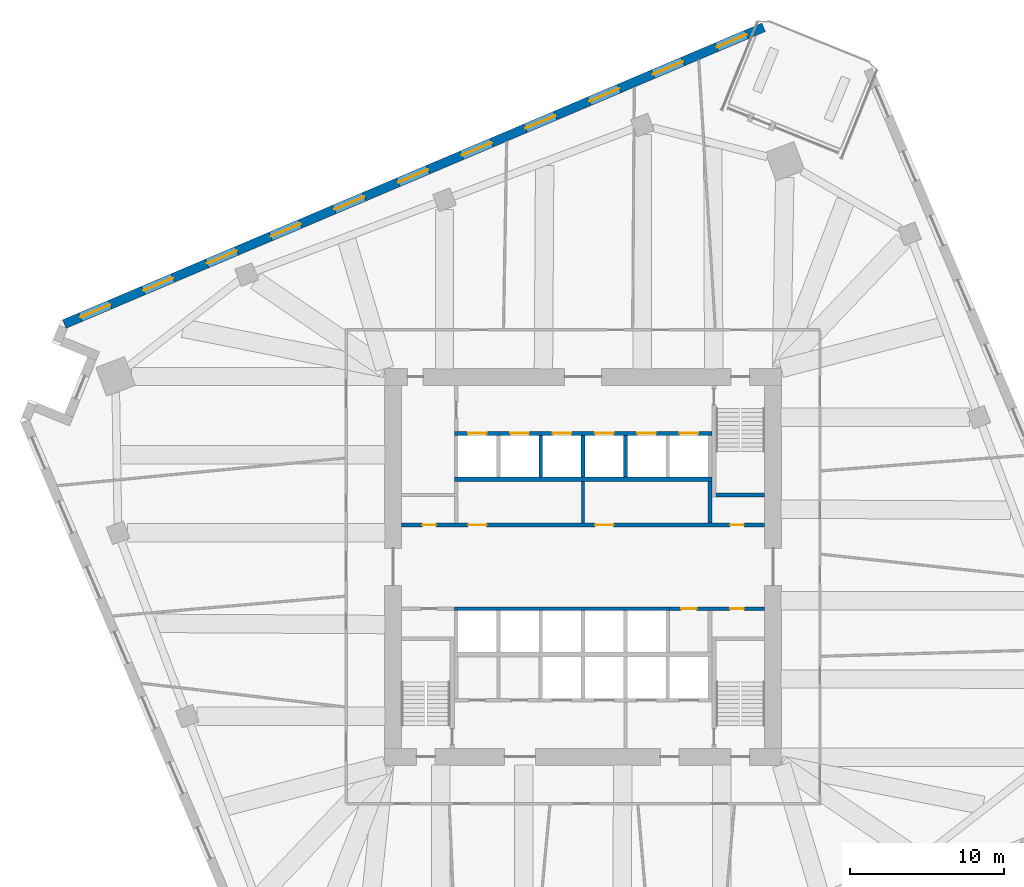
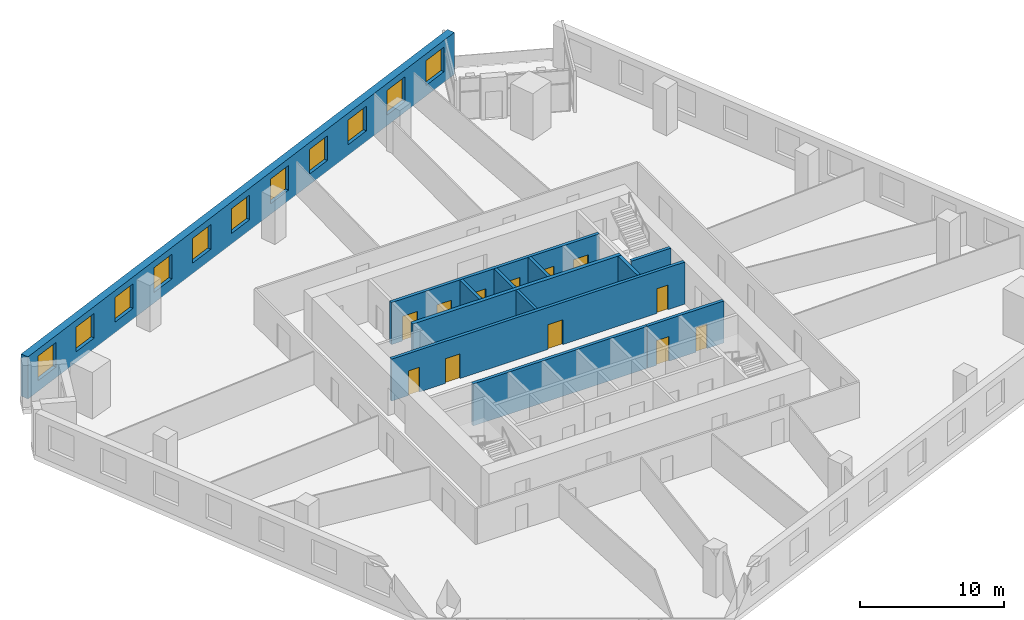
# One storey, part 8 of 12: 12 doors, 12 walls, 11 windows, 23 openings.
"""IFC4 building model written with IfcOpenShell, lengths in metres."""

from ifc_helpers import new_model, si_unit, direction, frame, frame_2d, origin, place, context, subcontext, project, spatial, rectangle, extrude, material, layer, layer_set, type_object, element, fill, save


model = new_model("IFC4")

# Units and contexts
model_context = context("Model", 3, precision=1e-05, world=origin(), true_north=direction((0.0, 1.0)))
body_context = subcontext(model_context, "Body", "Model", "MODEL_VIEW")
ifc_project = project(units=[si_unit("LENGTHUNIT", "METRE"), si_unit("AREAUNIT", "SQUARE_METRE"), si_unit("VOLUMEUNIT", "CUBIC_METRE"), si_unit("PLANEANGLEUNIT", "RADIAN"), si_unit("MASSUNIT", "GRAM", prefix="KILO")], contexts=[model_context])

# Site, building, storey
site_placement = place(None, origin())
site = spatial("IfcSite", under=ifc_project, at=site_placement, CompositionType="ELEMENT")
building_placement = place(site_placement, origin())
building = spatial("IfcBuilding", under=site, at=building_placement, Name="Dilmun Exchange Tower", CompositionType="ELEMENT")
storey_placement = place(building_placement, frame((0.0, 0.0, 118.10009765625)))
storey = spatial("IfcBuildingStorey", under=building, at=storey_placement, Name="L27", CompositionType="ELEMENT", Elevation=118.10009765625)

# Wall
ifc_material_1 = material(Name="Concrete C40/50", Category="concrete")
ifc_layer_1 = layer(ifc_material_1, 0.199951171875)
ifc_layer_set_1 = layer_set([ifc_layer_1], Name="Concrete C40/50")
wall_type_1 = type_object("IfcWallType", Name="Core partition wall 200", PredefinedType="PARTITIONING", material=ifc_layer_set_1)
wall_1_placement = place(storey_placement, frame((0.0, 2.85498046875, 0.0), z_axis=(0.0, 0.0, 1.0), x_axis=(0.0, 1.0, 0.0)))
element("IfcWall", 1, at=wall_1_placement, inside=storey, type_object=wall_type_1, Name="L27 core partition wall 10", PredefinedType="PARTITIONING", context=body_context, shape_type="SweptSolid", body=[
    extrude(rectangle(XDim=2.68994140625, YDim=0.199951171875, at=frame_2d((1.344970703125, 0.0))), origin(), (0.0, 0.0, 1.0), 3.579833984375),
])

# Wall, openings, doors
ifc_layer_2 = layer(ifc_material_1, 0.25)
ifc_layer_set_2 = layer_set([ifc_layer_2], Name="Concrete C40/50")
wall_type_2 = type_object("IfcWallType", Name="Core partition wall 250", PredefinedType="PARTITIONING", material=ifc_layer_set_2)
wall_2_placement = place(storey_placement, frame((5.6298828125, -2.72509765625, 0.0), z_axis=(0.0, 0.0, 1.0), x_axis=(1.0, 0.0, 0.0)))
wall_2 = element("IfcWall", 2, at=wall_2_placement, inside=storey, type_object=wall_type_2, Name="L27 core partition wall 07", PredefinedType="PARTITIONING", context=body_context, shape_type="SweptSolid", body=[
    extrude(rectangle(XDim=6.1650390625, YDim=0.25, at=frame_2d((3.08251953125, 0.0))), origin(), (0.0, 0.0, 1.0), 3.579833984375),
])
opening_1_placement = place(wall_2_placement, frame((0.7451171875, 0.0, 0.0)))
opening_1 = element("IfcOpeningElement", 3, at=opening_1_placement, cuts=wall_2, Name="Opening CD4", PredefinedType="OPENING", context=body_context, shape_type="SweptSolid", body=[
    extrude(rectangle(XDim=1.0, YDim=2.10009765625, at=frame_2d((0.5, 1.050048828125))), frame((0.0, 0.135009765625, 0.0), z_axis=(0.0, -1.0, 0.0), x_axis=(1.0, 0.0, 0.0)), (0.0, 0.0, 1.0), 0.27001953125),
])
opening_2_placement = place(wall_2_placement, frame((3.919921875, 0.0, 0.0)))
opening_2 = element("IfcOpeningElement", 4, at=opening_2_placement, cuts=wall_2, Name="Opening CD6", PredefinedType="OPENING", context=body_context, shape_type="SweptSolid", body=[
    extrude(rectangle(XDim=0.89990234375, YDim=2.10009765625, at=frame_2d((0.449951171875, 1.050048828125))), frame((0.0, 0.135009765625, 0.0), z_axis=(0.0, -1.0, 0.0), x_axis=(1.0, 0.0, 0.0)), (0.0, 0.0, 1.0), 0.27001953125),
])
ifc_material_2 = material(Name="Fire-rated steel door set", Category="steel")
door_type_1 = type_object("IfcDoorType", Name="Core room door 1000x2100", OperationType="SINGLE_SWING_LEFT", PredefinedType="DOOR", material=ifc_material_2)
door_1_placement = place(opening_1_placement, origin())
door_1 = element("IfcDoor", 5, at=door_1_placement, inside=storey, type_object=door_type_1, Name="L27 door Cleaners' store", OperationType="SINGLE_SWING_RIGHT", OverallHeight=2.10009765625, OverallWidth=1.0, PredefinedType="DOOR", context=body_context, shape_type="SweptSolid", body=[
    extrude(rectangle(XDim=1.0, YDim=2.10009765625, at=frame_2d((0.5, 1.050048828125))), frame((0.0, 0.02490234375, 0.0), z_axis=(0.0, -1.0, 0.0), x_axis=(1.0, 0.0, 0.0)), (0.0, 0.0, 1.0), 0.050048828125),
])
fill(opening_1, door_1)
door_type_2 = type_object("IfcDoorType", Name="Core room door 900x2100", OperationType="SINGLE_SWING_LEFT", PredefinedType="DOOR", material=ifc_material_2)
door_2_placement = place(opening_2_placement, origin())
door_2 = element("IfcDoor", 6, at=door_2_placement, inside=storey, type_object=door_type_2, Name="L27 door Comms riser", OperationType="SINGLE_SWING_RIGHT", OverallHeight=2.10009765625, OverallWidth=0.89990234375, PredefinedType="DOOR", context=body_context, shape_type="SweptSolid", body=[
    extrude(rectangle(XDim=0.89990234375, YDim=2.10009765625, at=frame_2d((0.449951171875, 1.050048828125))), frame((0.0, 0.02490234375, 0.0), z_axis=(0.0, -1.0, 0.0), x_axis=(1.0, 0.0, 0.0)), (0.0, 0.0, 1.0), 0.050048828125),
])
fill(opening_2, door_2)

wall_3_placement = place(storey_placement, frame((-11.794921875, 2.72509765625, 0.0), z_axis=(0.0, 0.0, 1.0), x_axis=(1.0, 0.0, 0.0)))
wall_3 = element("IfcWall", 7, at=wall_3_placement, inside=storey, type_object=wall_type_2, Name="L27 core partition wall 08", PredefinedType="PARTITIONING", context=body_context, shape_type="SweptSolid", body=[
    extrude(rectangle(XDim=23.58984375, YDim=0.25, at=frame_2d((11.794921875, 0.0))), origin(), (0.0, 0.0, 1.0), 3.579833984375),
])
opening_3_placement = place(wall_3_placement, frame((21.344970703125, 0.0, 0.0)))
opening_3 = element("IfcOpeningElement", 8, at=opening_3_placement, cuts=wall_3, Name="Opening CD6", PredefinedType="OPENING", context=body_context, shape_type="SweptSolid", body=[
    extrude(rectangle(XDim=0.89990234375, YDim=2.10009765625, at=frame_2d((0.449951171875, 1.050048828125))), frame((0.0, 0.135009765625, 0.0), z_axis=(0.0, -1.0, 0.0), x_axis=(1.0, 0.0, 0.0)), (0.0, 0.0, 1.0), 0.27001953125),
])
opening_4_placement = place(wall_3_placement, frame((1.344970703125, 0.0, 0.0)))
opening_4 = element("IfcOpeningElement", 9, at=opening_4_placement, cuts=wall_3, Name="Opening CD6", PredefinedType="OPENING", context=body_context, shape_type="SweptSolid", body=[
    extrude(rectangle(XDim=0.89990234375, YDim=2.10009765625, at=frame_2d((0.449951171875, 1.050048828125))), frame((0.0, 0.135009765625, 0.0), z_axis=(0.0, -1.0, 0.0), x_axis=(1.0, 0.0, 0.0)), (0.0, 0.0, 1.0), 0.27001953125),
])
opening_5_placement = place(wall_3_placement, frame((4.320068359375, 0.0, 0.0)))
opening_5 = element("IfcOpeningElement", 10, at=opening_5_placement, cuts=wall_3, Name="Opening CD3", PredefinedType="OPENING", context=body_context, shape_type="SweptSolid", body=[
    extrude(rectangle(XDim=1.199951171875, YDim=2.10009765625, at=frame_2d((0.60009765625, 1.050048828125))), frame((0.0, 0.135009765625, 0.0), z_axis=(0.0, -1.0, 0.0), x_axis=(1.0, 0.0, 0.0)), (0.0, 0.0, 1.0), 0.27001953125),
])
opening_6_placement = place(wall_3_placement, frame((12.570068359375, 0.0, 0.0)))
opening_6 = element("IfcOpeningElement", 11, at=opening_6_placement, cuts=wall_3, Name="Opening CD3", PredefinedType="OPENING", context=body_context, shape_type="SweptSolid", body=[
    extrude(rectangle(XDim=1.199951171875, YDim=2.10009765625, at=frame_2d((0.60009765625, 1.050048828125))), frame((0.0, 0.135009765625, 0.0), z_axis=(0.0, -1.0, 0.0), x_axis=(1.0, 0.0, 0.0)), (0.0, 0.0, 1.0), 0.27001953125),
])
door_3_placement = place(opening_3_placement, origin())
door_3 = element("IfcDoor", 12, at=door_3_placement, inside=storey, type_object=door_type_2, Name="L27 door Electrical riser", OperationType="SINGLE_SWING_RIGHT", OverallHeight=2.10009765625, OverallWidth=0.89990234375, PredefinedType="DOOR", context=body_context, shape_type="SweptSolid", body=[
    extrude(rectangle(XDim=0.89990234375, YDim=2.10009765625, at=frame_2d((0.449951171875, 1.050048828125))), frame((0.0, 0.02490234375, 0.0), z_axis=(0.0, -1.0, 0.0), x_axis=(1.0, 0.0, 0.0)), (0.0, 0.0, 1.0), 0.050048828125),
])
fill(opening_3, door_3)
door_4_placement = place(opening_4_placement, origin())
door_4 = element("IfcDoor", 13, at=door_4_placement, inside=storey, type_object=door_type_2, Name="L27 door Plumbing riser", OperationType="SINGLE_SWING_RIGHT", OverallHeight=2.10009765625, OverallWidth=0.89990234375, PredefinedType="DOOR", context=body_context, shape_type="SweptSolid", body=[
    extrude(rectangle(XDim=0.89990234375, YDim=2.10009765625, at=frame_2d((0.449951171875, 1.050048828125))), frame((0.0, 0.02490234375, 0.0), z_axis=(0.0, -1.0, 0.0), x_axis=(1.0, 0.0, 0.0)), (0.0, 0.0, 1.0), 0.050048828125),
])
fill(opening_4, door_4)
door_type_3 = type_object("IfcDoorType", Name="Stair exit door 1200x2100", OperationType="SINGLE_SWING_LEFT", PredefinedType="DOOR", material=ifc_material_2)
door_5_placement = place(opening_5_placement, origin())
door_5 = element("IfcDoor", 14, at=door_5_placement, inside=storey, type_object=door_type_3, Name="L27 door Quiet working room", OperationType="SINGLE_SWING_LEFT", OverallHeight=2.10009765625, OverallWidth=1.199951171875, PredefinedType="DOOR", context=body_context, shape_type="SweptSolid", body=[
    extrude(rectangle(XDim=1.199951171875, YDim=2.10009765625, at=frame_2d((0.60009765625, 1.050048828125))), frame((0.0, 0.02490234375, 0.0), z_axis=(0.0, -1.0, 0.0), x_axis=(1.0, 0.0, 0.0)), (0.0, 0.0, 1.0), 0.050048828125),
])
fill(opening_5, door_5)
door_6_placement = place(opening_6_placement, origin())
door_6 = element("IfcDoor", 15, at=door_6_placement, inside=storey, type_object=door_type_3, Name="L27 door Building management office", OperationType="SINGLE_SWING_LEFT", OverallHeight=2.10009765625, OverallWidth=1.199951171875, PredefinedType="DOOR", context=body_context, shape_type="SweptSolid", body=[
    extrude(rectangle(XDim=1.199951171875, YDim=2.10009765625, at=frame_2d((0.60009765625, 1.050048828125))), frame((0.0, 0.02490234375, 0.0), z_axis=(0.0, -1.0, 0.0), x_axis=(1.0, 0.0, 0.0)), (0.0, 0.0, 1.0), 0.050048828125),
])
fill(opening_6, door_6)

# Walls
wall_4_placement = place(storey_placement, frame((8.25, 2.85498046875, 0.0), z_axis=(0.0, 0.0, 1.0), x_axis=(0.0, 1.0, 0.0)))
element("IfcWall", 16, at=wall_4_placement, inside=storey, type_object=wall_type_2, Name="L27 core partition wall 11", PredefinedType="PARTITIONING", context=body_context, shape_type="SweptSolid", body=[
    extrude(rectangle(XDim=2.68994140625, YDim=0.25, at=frame_2d((1.344970703125, 0.0))), origin(), (0.0, 0.0, 1.0), 3.579833984375),
])
ifc_layer_3 = layer(ifc_material_1, 0.300048828125)
ifc_layer_set_3 = layer_set([ifc_layer_3], Name="Concrete C40/50")
wall_type_3 = type_object("IfcWallType", Name="Lift shaft shared wall 300", PredefinedType="SOLIDWALL", material=ifc_layer_set_3)
wall_5_placement = place(storey_placement, frame((-8.375, 5.699951171875, 0.0), z_axis=(0.0, 0.0, 1.0), x_axis=(1.0, 0.0, 0.0)))
element("IfcWall", 17, at=wall_5_placement, inside=storey, type_object=wall_type_3, Name="L27 lift shaft rear wall N", PredefinedType="SOLIDWALL", context=body_context, shape_type="SweptSolid", body=[
    extrude(rectangle(XDim=16.75, YDim=0.300048828125, at=frame_2d((8.375, 0.0))), origin(), (0.0, 0.0, 1.0), 3.579833984375),
])

# Wall, openings, doors
ifc_layer_4 = layer(ifc_material_1, 0.25)
ifc_layer_set_4 = layer_set([ifc_layer_4], Name="Concrete C40/50")
wall_type_4 = type_object("IfcWallType", Name="Lift shaft wall 250", PredefinedType="SOLIDWALL", material=ifc_layer_set_4)
wall_6_placement = place(storey_placement, frame((-8.375, 8.675048828125, 0.0), z_axis=(0.0, 0.0, 1.0), x_axis=(1.0, 0.0, 0.0)))
wall_6 = element("IfcWall", 18, at=wall_6_placement, inside=storey, type_object=wall_type_4, Name="L27 lift shaft front wall N2", PredefinedType="SOLIDWALL", context=body_context, shape_type="SweptSolid", body=[
    extrude(rectangle(XDim=16.75, YDim=0.25, at=frame_2d((8.375, 0.0))), origin(), (0.0, 0.0, 1.0), 3.579833984375),
])
opening_7_placement = place(wall_6_placement, frame((0.89990234375, 0.0, 0.0)))
opening_7 = element("IfcOpeningElement", 19, at=opening_7_placement, cuts=wall_6, Name="Opening LD", PredefinedType="OPENING", context=body_context, shape_type="SweptSolid", body=[
    extrude(rectangle(XDim=1.199951171875, YDim=2.10009765625, at=frame_2d((0.60009765625, 1.050048828125))), frame((0.0, 0.135009765625, 0.0), z_axis=(0.0, -1.0, 0.0), x_axis=(1.0, 0.0, 0.0)), (0.0, 0.0, 1.0), 0.27001953125),
])
opening_8_placement = place(wall_6_placement, frame((3.64990234375, 0.0, 0.0)))
opening_8 = element("IfcOpeningElement", 20, at=opening_8_placement, cuts=wall_6, Name="Opening LD", PredefinedType="OPENING", context=body_context, shape_type="SweptSolid", body=[
    extrude(rectangle(XDim=1.199951171875, YDim=2.10009765625, at=frame_2d((0.60009765625, 1.050048828125))), frame((0.0, 0.135009765625, 0.0), z_axis=(0.0, -1.0, 0.0), x_axis=(1.0, 0.0, 0.0)), (0.0, 0.0, 1.0), 0.27001953125),
])
opening_9_placement = place(wall_6_placement, frame((6.39990234375, 0.0, 0.0)))
opening_9 = element("IfcOpeningElement", 21, at=opening_9_placement, cuts=wall_6, Name="Opening LD", PredefinedType="OPENING", context=body_context, shape_type="SweptSolid", body=[
    extrude(rectangle(XDim=1.199951171875, YDim=2.10009765625, at=frame_2d((0.60009765625, 1.050048828125))), frame((0.0, 0.135009765625, 0.0), z_axis=(0.0, -1.0, 0.0), x_axis=(1.0, 0.0, 0.0)), (0.0, 0.0, 1.0), 0.27001953125),
])
opening_10_placement = place(wall_6_placement, frame((9.14990234375, 0.0, 0.0)))
opening_10 = element("IfcOpeningElement", 22, at=opening_10_placement, cuts=wall_6, Name="Opening LD", PredefinedType="OPENING", context=body_context, shape_type="SweptSolid", body=[
    extrude(rectangle(XDim=1.199951171875, YDim=2.10009765625, at=frame_2d((0.60009765625, 1.050048828125))), frame((0.0, 0.135009765625, 0.0), z_axis=(0.0, -1.0, 0.0), x_axis=(1.0, 0.0, 0.0)), (0.0, 0.0, 1.0), 0.27001953125),
])
opening_11_placement = place(wall_6_placement, frame((11.89990234375, 0.0, 0.0)))
opening_11 = element("IfcOpeningElement", 23, at=opening_11_placement, cuts=wall_6, Name="Opening LD", PredefinedType="OPENING", context=body_context, shape_type="SweptSolid", body=[
    extrude(rectangle(XDim=1.199951171875, YDim=2.10009765625, at=frame_2d((0.60009765625, 1.050048828125))), frame((0.0, 0.135009765625, 0.0), z_axis=(0.0, -1.0, 0.0), x_axis=(1.0, 0.0, 0.0)), (0.0, 0.0, 1.0), 0.27001953125),
])
opening_12_placement = place(wall_6_placement, frame((14.64990234375, 0.0, 0.0)))
opening_12 = element("IfcOpeningElement", 24, at=opening_12_placement, cuts=wall_6, Name="Opening LD", PredefinedType="OPENING", context=body_context, shape_type="SweptSolid", body=[
    extrude(rectangle(XDim=1.199951171875, YDim=2.10009765625, at=frame_2d((0.60009765625, 1.050048828125))), frame((0.0, 0.135009765625, 0.0), z_axis=(0.0, -1.0, 0.0), x_axis=(1.0, 0.0, 0.0)), (0.0, 0.0, 1.0), 0.27001953125),
])
door_type_4 = type_object("IfcDoorType", Name="Lift landing door 1200x2100", OperationType="DOUBLE_DOOR_SLIDING", PredefinedType="DOOR", material=ifc_material_2)
door_7_placement = place(opening_7_placement, origin())
door_7 = element("IfcDoor", 25, at=door_7_placement, inside=storey, type_object=door_type_4, Name="L27 landing door LR1", OperationType="DOUBLE_DOOR_SLIDING", OverallHeight=2.10009765625, OverallWidth=1.199951171875, PredefinedType="DOOR", context=body_context, shape_type="SweptSolid", body=[
    extrude(rectangle(XDim=1.199951171875, YDim=2.10009765625, at=frame_2d((0.60009765625, 1.050048828125))), frame((0.0, 0.02490234375, 0.0), z_axis=(0.0, -1.0, 0.0), x_axis=(1.0, 0.0, 0.0)), (0.0, 0.0, 1.0), 0.050048828125),
])
fill(opening_7, door_7)
door_8_placement = place(opening_8_placement, origin())
door_8 = element("IfcDoor", 26, at=door_8_placement, inside=storey, type_object=door_type_4, Name="L27 landing door LR2", OperationType="DOUBLE_DOOR_SLIDING", OverallHeight=2.10009765625, OverallWidth=1.199951171875, PredefinedType="DOOR", context=body_context, shape_type="SweptSolid", body=[
    extrude(rectangle(XDim=1.199951171875, YDim=2.10009765625, at=frame_2d((0.60009765625, 1.050048828125))), frame((0.0, 0.02490234375, 0.0), z_axis=(0.0, -1.0, 0.0), x_axis=(1.0, 0.0, 0.0)), (0.0, 0.0, 1.0), 0.050048828125),
])
fill(opening_8, door_8)
door_9_placement = place(opening_9_placement, origin())
door_9 = element("IfcDoor", 27, at=door_9_placement, inside=storey, type_object=door_type_4, Name="L27 landing door LR3", OperationType="DOUBLE_DOOR_SLIDING", OverallHeight=2.10009765625, OverallWidth=1.199951171875, PredefinedType="DOOR", context=body_context, shape_type="SweptSolid", body=[
    extrude(rectangle(XDim=1.199951171875, YDim=2.10009765625, at=frame_2d((0.60009765625, 1.050048828125))), frame((0.0, 0.02490234375, 0.0), z_axis=(0.0, -1.0, 0.0), x_axis=(1.0, 0.0, 0.0)), (0.0, 0.0, 1.0), 0.050048828125),
])
fill(opening_9, door_9)
door_10_placement = place(opening_10_placement, origin())
door_10 = element("IfcDoor", 28, at=door_10_placement, inside=storey, type_object=door_type_4, Name="L27 landing door LR4", OperationType="DOUBLE_DOOR_SLIDING", OverallHeight=2.10009765625, OverallWidth=1.199951171875, PredefinedType="DOOR", context=body_context, shape_type="SweptSolid", body=[
    extrude(rectangle(XDim=1.199951171875, YDim=2.10009765625, at=frame_2d((0.60009765625, 1.050048828125))), frame((0.0, 0.02490234375, 0.0), z_axis=(0.0, -1.0, 0.0), x_axis=(1.0, 0.0, 0.0)), (0.0, 0.0, 1.0), 0.050048828125),
])
fill(opening_10, door_10)
door_11_placement = place(opening_11_placement, origin())
door_11 = element("IfcDoor", 29, at=door_11_placement, inside=storey, type_object=door_type_4, Name="L27 landing door LR5", OperationType="DOUBLE_DOOR_SLIDING", OverallHeight=2.10009765625, OverallWidth=1.199951171875, PredefinedType="DOOR", context=body_context, shape_type="SweptSolid", body=[
    extrude(rectangle(XDim=1.199951171875, YDim=2.10009765625, at=frame_2d((0.60009765625, 1.050048828125))), frame((0.0, 0.02490234375, 0.0), z_axis=(0.0, -1.0, 0.0), x_axis=(1.0, 0.0, 0.0)), (0.0, 0.0, 1.0), 0.050048828125),
])
fill(opening_11, door_11)
door_12_placement = place(opening_12_placement, origin())
door_12 = element("IfcDoor", 30, at=door_12_placement, inside=storey, type_object=door_type_4, Name="L27 landing door LR6", OperationType="DOUBLE_DOOR_SLIDING", OverallHeight=2.10009765625, OverallWidth=1.199951171875, PredefinedType="DOOR", context=body_context, shape_type="SweptSolid", body=[
    extrude(rectangle(XDim=1.199951171875, YDim=2.10009765625, at=frame_2d((0.60009765625, 1.050048828125))), frame((0.0, 0.02490234375, 0.0), z_axis=(0.0, -1.0, 0.0), x_axis=(1.0, 0.0, 0.0)), (0.0, 0.0, 1.0), 0.050048828125),
])
fill(opening_12, door_12)

# Walls
for number, where, z_axis, x_axis, name in (
    (31, (-2.75, 5.85009765625, 0.0), (0.0, 0.0, 1.0), (0.0, 1.0, 0.0), "L27 lift shaft divider N22"),
    (32, (0.0, 5.85009765625, 0.0), (0.0, 0.0, 1.0), (0.0, 1.0, 0.0), "L27 lift shaft divider N23"),
    (33, (2.75, 5.85009765625, 0.0), (0.0, 0.0, 1.0), (0.0, 1.0, 0.0), "L27 lift shaft divider N24"),
):
    element("IfcWall", number, at=place(storey_placement, frame(where, z_axis=z_axis, x_axis=x_axis)), inside=storey, type_object=wall_type_4, Name=name, PredefinedType="SOLIDWALL", context=body_context, shape_type="SweptSolid", body=[
        extrude(rectangle(XDim=2.699951171875, YDim=0.25, at=frame_2d((1.35009765625, 0.0))), origin(), (0.0, 0.0, 1.0), 3.579833984375),
    ])
wall_7_placement = place(storey_placement, frame((-8.375, -2.72509765625, 0.0), z_axis=(0.0, 0.0, 1.0), x_axis=(1.0, 0.0, 0.0)))
element("IfcWall", 34, at=wall_7_placement, inside=storey, type_object=wall_type_4, Name="L27 lift shaft front wall S1", PredefinedType="SOLIDWALL", context=body_context, shape_type="SweptSolid", body=[
    extrude(rectangle(XDim=14.0, YDim=0.25, at=frame_2d((7.0, 0.0))), origin(), (0.0, 0.0, 1.0), 3.579833984375),
])

# Wall, openings, windows
ifc_material_3 = material(Name="Precast concrete C50/60", Category="concrete")
ifc_layer_5 = layer(ifc_material_3, 0.60009765625)
ifc_layer_set_5 = layer_set([ifc_layer_5], Name="Precast concrete C50/60")
wall_type_5 = type_object("IfcWallType", Name="Precast stone-clad wall 600", PredefinedType="STANDARD", material=ifc_layer_set_5)
wall_8_placement = place(storey_placement, frame((11.72900390625, 35.07080078125, 0.0), z_axis=(0.0, 0.0, 1.0), x_axis=(-0.920505483293, -0.390729644674, 0.0)))
wall_8 = element("IfcWall", 35, at=wall_8_placement, inside=storey, type_object=wall_type_5, Name="Facade wall L27-03", PredefinedType="STANDARD", context=body_context, shape_type="SweptSolid", body=[
    extrude(rectangle(XDim=49.37548828125, YDim=0.60009765625, at=frame_2d((24.687744140625, 0.0))), origin(), (0.0, 0.0, 1.0), 3.579833984375),
])
opening_13_placement = place(wall_8_placement, frame((1.199951171875, 0.0, 0.89990234375)))
opening_13 = element("IfcOpeningElement", 36, at=opening_13_placement, cuts=wall_8, Name="Opening W210-210", PredefinedType="OPENING", context=body_context, shape_type="SweptSolid", body=[
    extrude(rectangle(XDim=2.10009765625, YDim=2.10009765625, at=frame_2d((1.050048828125, 1.050048828125))), frame((0.0, 0.31005859375, 0.0), z_axis=(0.0, -1.0, 0.0), x_axis=(1.0, 0.0, 0.0)), (0.0, 0.0, 1.0), 0.6201171875),
])
opening_14_placement = place(wall_8_placement, frame((5.699951171875, 0.0, 0.89990234375)))
opening_14 = element("IfcOpeningElement", 37, at=opening_14_placement, cuts=wall_8, Name="Opening W210-210", PredefinedType="OPENING", context=body_context, shape_type="SweptSolid", body=[
    extrude(rectangle(XDim=2.10009765625, YDim=2.10009765625, at=frame_2d((1.050048828125, 1.050048828125))), frame((0.0, 0.31005859375, 0.0), z_axis=(0.0, -1.0, 0.0), x_axis=(1.0, 0.0, 0.0)), (0.0, 0.0, 1.0), 0.6201171875),
])
opening_15_placement = place(wall_8_placement, frame((10.199951171875, 0.0, 0.89990234375)))
opening_15 = element("IfcOpeningElement", 38, at=opening_15_placement, cuts=wall_8, Name="Opening W210-210", PredefinedType="OPENING", context=body_context, shape_type="SweptSolid", body=[
    extrude(rectangle(XDim=2.10009765625, YDim=2.10009765625, at=frame_2d((1.050048828125, 1.050048828125))), frame((0.0, 0.31005859375, 0.0), z_axis=(0.0, -1.0, 0.0), x_axis=(1.0, 0.0, 0.0)), (0.0, 0.0, 1.0), 0.6201171875),
])
opening_16_placement = place(wall_8_placement, frame((14.699951171875, 0.0, 0.89990234375)))
opening_16 = element("IfcOpeningElement", 39, at=opening_16_placement, cuts=wall_8, Name="Opening W210-210", PredefinedType="OPENING", context=body_context, shape_type="SweptSolid", body=[
    extrude(rectangle(XDim=2.10009765625, YDim=2.10009765625, at=frame_2d((1.050048828125, 1.050048828125))), frame((0.0, 0.31005859375, 0.0), z_axis=(0.0, -1.0, 0.0), x_axis=(1.0, 0.0, 0.0)), (0.0, 0.0, 1.0), 0.6201171875),
])
opening_17_placement = place(wall_8_placement, frame((19.199951171875, 0.0, 0.89990234375)))
opening_17 = element("IfcOpeningElement", 40, at=opening_17_placement, cuts=wall_8, Name="Opening W210-210", PredefinedType="OPENING", context=body_context, shape_type="SweptSolid", body=[
    extrude(rectangle(XDim=2.10009765625, YDim=2.10009765625, at=frame_2d((1.050048828125, 1.050048828125))), frame((0.0, 0.31005859375, 0.0), z_axis=(0.0, -1.0, 0.0), x_axis=(1.0, 0.0, 0.0)), (0.0, 0.0, 1.0), 0.6201171875),
])
opening_18_placement = place(wall_8_placement, frame((23.699951171875, 0.0, 0.89990234375)))
opening_18 = element("IfcOpeningElement", 41, at=opening_18_placement, cuts=wall_8, Name="Opening W210-210", PredefinedType="OPENING", context=body_context, shape_type="SweptSolid", body=[
    extrude(rectangle(XDim=2.10009765625, YDim=2.10009765625, at=frame_2d((1.050048828125, 1.050048828125))), frame((0.0, 0.31005859375, 0.0), z_axis=(0.0, -1.0, 0.0), x_axis=(1.0, 0.0, 0.0)), (0.0, 0.0, 1.0), 0.6201171875),
])
opening_19_placement = place(wall_8_placement, frame((28.199951171875, 0.0, 0.89990234375)))
opening_19 = element("IfcOpeningElement", 42, at=opening_19_placement, cuts=wall_8, Name="Opening W210-210", PredefinedType="OPENING", context=body_context, shape_type="SweptSolid", body=[
    extrude(rectangle(XDim=2.10009765625, YDim=2.10009765625, at=frame_2d((1.050048828125, 1.050048828125))), frame((0.0, 0.31005859375, 0.0), z_axis=(0.0, -1.0, 0.0), x_axis=(1.0, 0.0, 0.0)), (0.0, 0.0, 1.0), 0.6201171875),
])
opening_20_placement = place(wall_8_placement, frame((32.699951171875, 0.0, 0.89990234375)))
opening_20 = element("IfcOpeningElement", 43, at=opening_20_placement, cuts=wall_8, Name="Opening W210-210", PredefinedType="OPENING", context=body_context, shape_type="SweptSolid", body=[
    extrude(rectangle(XDim=2.10009765625, YDim=2.10009765625, at=frame_2d((1.050048828125, 1.050048828125))), frame((0.0, 0.31005859375, 0.0), z_axis=(0.0, -1.0, 0.0), x_axis=(1.0, 0.0, 0.0)), (0.0, 0.0, 1.0), 0.6201171875),
])
opening_21_placement = place(wall_8_placement, frame((37.199951171875, 0.0, 0.89990234375)))
opening_21 = element("IfcOpeningElement", 44, at=opening_21_placement, cuts=wall_8, Name="Opening W210-210", PredefinedType="OPENING", context=body_context, shape_type="SweptSolid", body=[
    extrude(rectangle(XDim=2.10009765625, YDim=2.10009765625, at=frame_2d((1.050048828125, 1.050048828125))), frame((0.0, 0.31005859375, 0.0), z_axis=(0.0, -1.0, 0.0), x_axis=(1.0, 0.0, 0.0)), (0.0, 0.0, 1.0), 0.6201171875),
])
opening_22_placement = place(wall_8_placement, frame((41.699951171875, 0.0, 0.89990234375)))
opening_22 = element("IfcOpeningElement", 45, at=opening_22_placement, cuts=wall_8, Name="Opening W210-210", PredefinedType="OPENING", context=body_context, shape_type="SweptSolid", body=[
    extrude(rectangle(XDim=2.10009765625, YDim=2.10009765625, at=frame_2d((1.050048828125, 1.050048828125))), frame((0.0, 0.31005859375, 0.0), z_axis=(0.0, -1.0, 0.0), x_axis=(1.0, 0.0, 0.0)), (0.0, 0.0, 1.0), 0.6201171875),
])
opening_23_placement = place(wall_8_placement, frame((46.137939453125, 0.0, 0.89990234375)))
opening_23 = element("IfcOpeningElement", 46, at=opening_23_placement, cuts=wall_8, Name="Opening W210-210", PredefinedType="OPENING", context=body_context, shape_type="SweptSolid", body=[
    extrude(rectangle(XDim=2.10009765625, YDim=2.10009765625, at=frame_2d((1.050048828125, 1.050048828125))), frame((0.0, 0.31005859375, 0.0), z_axis=(0.0, -1.0, 0.0), x_axis=(1.0, 0.0, 0.0)), (0.0, 0.0, 1.0), 0.6201171875),
])
ifc_material_4 = material(Name="Clear low-emissivity glass in aluminium frame", Category="aluminium")
window_type = type_object("IfcWindowType", Name="Punched window 2100 x 2100", PartitioningType="DOUBLE_PANEL_VERTICAL", PredefinedType="WINDOW", material=ifc_material_4)
window_1_placement = place(opening_13_placement, origin())
window_1 = element("IfcWindow", 47, at=window_1_placement, inside=storey, type_object=window_type, Name="Window 4.1", OverallHeight=2.10009765625, OverallWidth=2.10009765625, PartitioningType="SINGLE_PANEL", PredefinedType="WINDOW", context=body_context, shape_type="SweptSolid", body=[
    extrude(rectangle(XDim=2.10009765625, YDim=2.10009765625, at=frame_2d((1.050048828125, 1.050048828125))), frame((0.0, 0.030029296875, 0.0), z_axis=(0.0, -1.0, 0.0), x_axis=(1.0, 0.0, 0.0)), (0.0, 0.0, 1.0), 0.06005859375),
])
fill(opening_13, window_1)
window_2_placement = place(opening_14_placement, origin())
window_2 = element("IfcWindow", 48, at=window_2_placement, inside=storey, type_object=window_type, Name="Window 4.2", OverallHeight=2.10009765625, OverallWidth=2.10009765625, PartitioningType="SINGLE_PANEL", PredefinedType="WINDOW", context=body_context, shape_type="SweptSolid", body=[
    extrude(rectangle(XDim=2.10009765625, YDim=2.10009765625, at=frame_2d((1.050048828125, 1.050048828125))), frame((0.0, 0.030029296875, 0.0), z_axis=(0.0, -1.0, 0.0), x_axis=(1.0, 0.0, 0.0)), (0.0, 0.0, 1.0), 0.06005859375),
])
fill(opening_14, window_2)
window_3_placement = place(opening_15_placement, origin())
window_3 = element("IfcWindow", 49, at=window_3_placement, inside=storey, type_object=window_type, Name="Window 4.3", OverallHeight=2.10009765625, OverallWidth=2.10009765625, PartitioningType="SINGLE_PANEL", PredefinedType="WINDOW", context=body_context, shape_type="SweptSolid", body=[
    extrude(rectangle(XDim=2.10009765625, YDim=2.10009765625, at=frame_2d((1.050048828125, 1.050048828125))), frame((0.0, 0.030029296875, 0.0), z_axis=(0.0, -1.0, 0.0), x_axis=(1.0, 0.0, 0.0)), (0.0, 0.0, 1.0), 0.06005859375),
])
fill(opening_15, window_3)
window_4_placement = place(opening_16_placement, origin())
window_4 = element("IfcWindow", 50, at=window_4_placement, inside=storey, type_object=window_type, Name="Window 4.4", OverallHeight=2.10009765625, OverallWidth=2.10009765625, PartitioningType="SINGLE_PANEL", PredefinedType="WINDOW", context=body_context, shape_type="SweptSolid", body=[
    extrude(rectangle(XDim=2.10009765625, YDim=2.10009765625, at=frame_2d((1.050048828125, 1.050048828125))), frame((0.0, 0.030029296875, 0.0), z_axis=(0.0, -1.0, 0.0), x_axis=(1.0, 0.0, 0.0)), (0.0, 0.0, 1.0), 0.06005859375),
])
fill(opening_16, window_4)
window_5_placement = place(opening_17_placement, origin())
window_5 = element("IfcWindow", 51, at=window_5_placement, inside=storey, type_object=window_type, Name="Window 4.5", OverallHeight=2.10009765625, OverallWidth=2.10009765625, PartitioningType="SINGLE_PANEL", PredefinedType="WINDOW", context=body_context, shape_type="SweptSolid", body=[
    extrude(rectangle(XDim=2.10009765625, YDim=2.10009765625, at=frame_2d((1.050048828125, 1.050048828125))), frame((0.0, 0.030029296875, 0.0), z_axis=(0.0, -1.0, 0.0), x_axis=(1.0, 0.0, 0.0)), (0.0, 0.0, 1.0), 0.06005859375),
])
fill(opening_17, window_5)
window_6_placement = place(opening_18_placement, origin())
window_6 = element("IfcWindow", 52, at=window_6_placement, inside=storey, type_object=window_type, Name="Window 4.6", OverallHeight=2.10009765625, OverallWidth=2.10009765625, PartitioningType="SINGLE_PANEL", PredefinedType="WINDOW", context=body_context, shape_type="SweptSolid", body=[
    extrude(rectangle(XDim=2.10009765625, YDim=2.10009765625, at=frame_2d((1.050048828125, 1.050048828125))), frame((0.0, 0.030029296875, 0.0), z_axis=(0.0, -1.0, 0.0), x_axis=(1.0, 0.0, 0.0)), (0.0, 0.0, 1.0), 0.06005859375),
])
fill(opening_18, window_6)
window_7_placement = place(opening_19_placement, origin())
window_7 = element("IfcWindow", 53, at=window_7_placement, inside=storey, type_object=window_type, Name="Window 4.7", OverallHeight=2.10009765625, OverallWidth=2.10009765625, PartitioningType="SINGLE_PANEL", PredefinedType="WINDOW", context=body_context, shape_type="SweptSolid", body=[
    extrude(rectangle(XDim=2.10009765625, YDim=2.10009765625, at=frame_2d((1.050048828125, 1.050048828125))), frame((0.0, 0.030029296875, 0.0), z_axis=(0.0, -1.0, 0.0), x_axis=(1.0, 0.0, 0.0)), (0.0, 0.0, 1.0), 0.06005859375),
])
fill(opening_19, window_7)
window_8_placement = place(opening_20_placement, origin())
window_8 = element("IfcWindow", 54, at=window_8_placement, inside=storey, type_object=window_type, Name="Window 4.8", OverallHeight=2.10009765625, OverallWidth=2.10009765625, PartitioningType="SINGLE_PANEL", PredefinedType="WINDOW", context=body_context, shape_type="SweptSolid", body=[
    extrude(rectangle(XDim=2.10009765625, YDim=2.10009765625, at=frame_2d((1.050048828125, 1.050048828125))), frame((0.0, 0.030029296875, 0.0), z_axis=(0.0, -1.0, 0.0), x_axis=(1.0, 0.0, 0.0)), (0.0, 0.0, 1.0), 0.06005859375),
])
fill(opening_20, window_8)
window_9_placement = place(opening_21_placement, origin())
window_9 = element("IfcWindow", 55, at=window_9_placement, inside=storey, type_object=window_type, Name="Window 4.9", OverallHeight=2.10009765625, OverallWidth=2.10009765625, PartitioningType="SINGLE_PANEL", PredefinedType="WINDOW", context=body_context, shape_type="SweptSolid", body=[
    extrude(rectangle(XDim=2.10009765625, YDim=2.10009765625, at=frame_2d((1.050048828125, 1.050048828125))), frame((0.0, 0.030029296875, 0.0), z_axis=(0.0, -1.0, 0.0), x_axis=(1.0, 0.0, 0.0)), (0.0, 0.0, 1.0), 0.06005859375),
])
fill(opening_21, window_9)
window_10_placement = place(opening_22_placement, origin())
window_10 = element("IfcWindow", 56, at=window_10_placement, inside=storey, type_object=window_type, Name="Window 4.10", OverallHeight=2.10009765625, OverallWidth=2.10009765625, PartitioningType="SINGLE_PANEL", PredefinedType="WINDOW", context=body_context, shape_type="SweptSolid", body=[
    extrude(rectangle(XDim=2.10009765625, YDim=2.10009765625, at=frame_2d((1.050048828125, 1.050048828125))), frame((0.0, 0.030029296875, 0.0), z_axis=(0.0, -1.0, 0.0), x_axis=(1.0, 0.0, 0.0)), (0.0, 0.0, 1.0), 0.06005859375),
])
fill(opening_22, window_10)
window_11_placement = place(opening_23_placement, origin())
window_11 = element("IfcWindow", 57, at=window_11_placement, inside=storey, type_object=window_type, Name="Window 4.11", OverallHeight=2.10009765625, OverallWidth=2.10009765625, PartitioningType="SINGLE_PANEL", PredefinedType="WINDOW", context=body_context, shape_type="SweptSolid", body=[
    extrude(rectangle(XDim=2.10009765625, YDim=2.10009765625, at=frame_2d((1.050048828125, 1.050048828125))), frame((0.0, 0.030029296875, 0.0), z_axis=(0.0, -1.0, 0.0), x_axis=(1.0, 0.0, 0.0)), (0.0, 0.0, 1.0), 0.06005859375),
])
fill(opening_23, window_11)

# Wall
ifc_layer_6 = layer(ifc_material_1, 0.25)
ifc_layer_set_6 = layer_set([ifc_layer_6], Name="Concrete C40/50")
wall_type_6 = type_object("IfcWallType", Name="Stair end wall 250", PredefinedType="SOLIDWALL", material=ifc_layer_set_6)
wall_9_placement = place(storey_placement, frame((8.64990234375, 4.675048828125, 0.0), z_axis=(0.0, 0.0, 1.0), x_axis=(1.0, 0.0, 0.0)))
element("IfcWall", 58, at=wall_9_placement, inside=storey, type_object=wall_type_6, Name="L27 ST1 far wall", PredefinedType="SOLIDWALL", context=body_context, shape_type="SweptSolid", body=[
    extrude(rectangle(XDim=3.150146484375, YDim=0.25, at=frame_2d((1.5751953125, 0.0))), origin(), (0.0, 0.0, 1.0), 3.579833984375),
])

save(model, "model.ifc")
